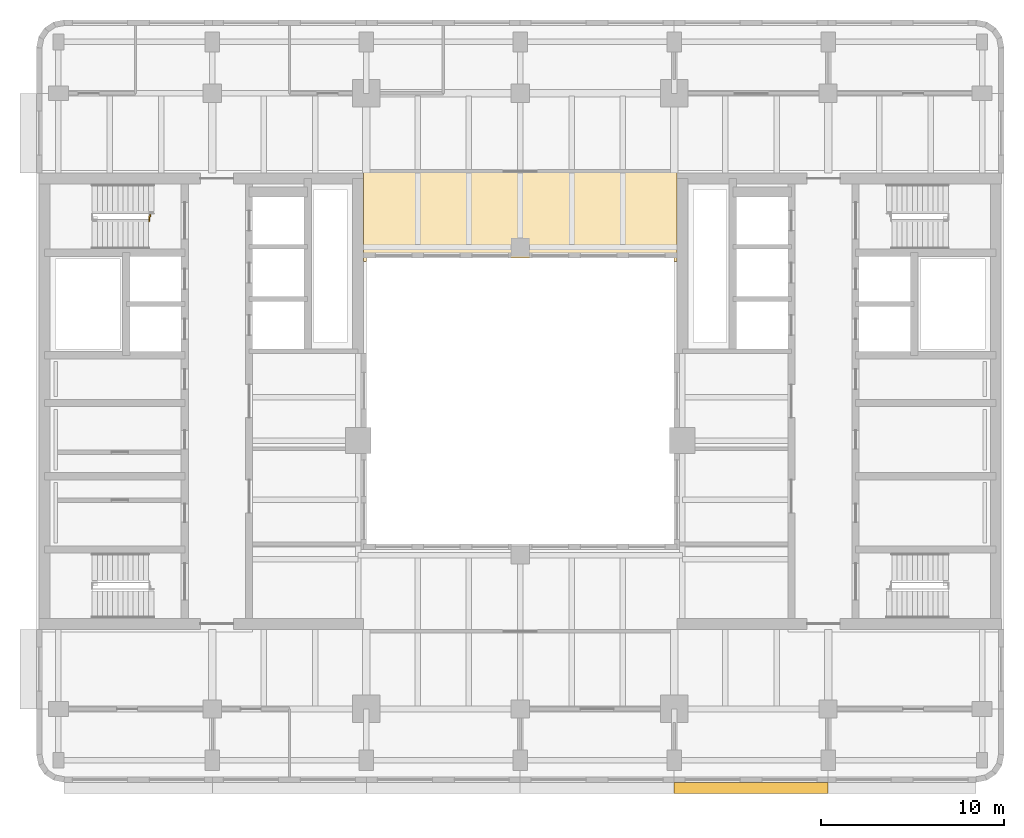
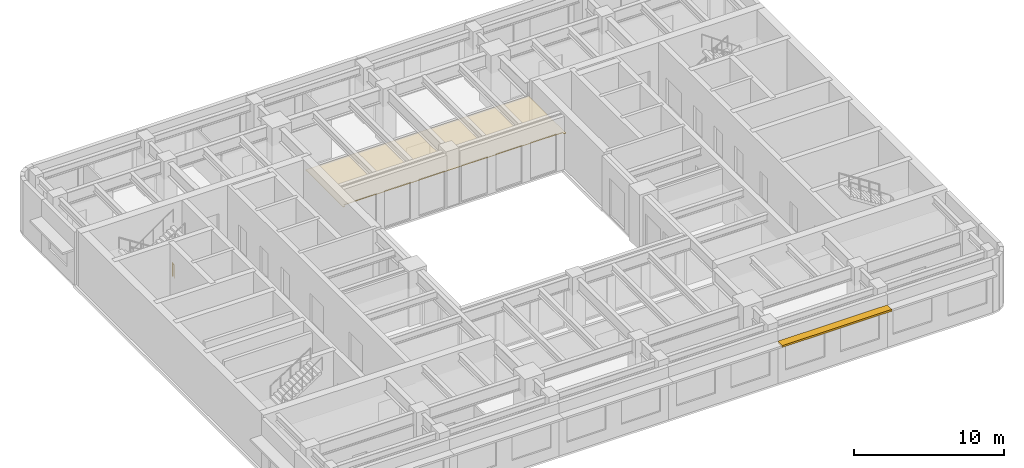
# One storey, part 11 of 13: 1 covering, 1 railing, 1 shading device.
"""IFC4 building model written with IfcOpenShell, lengths in metres."""

from ifc_helpers import new_model, si_unit, direction, frame, origin, origin_2d, place, context, subcontext, project, spatial, polyline, rectangle, circle, outline, extrude, material, layer, layer_set, type_object, element, save


model = new_model("IFC4")

# Units and contexts
model_context = context("Model", 3, precision=1e-05, world=origin(), true_north=direction((0.0, 1.0)))
body_context = subcontext(model_context, "Body", "Model", "MODEL_VIEW")
ifc_project = project(units=[si_unit("LENGTHUNIT", "METRE"), si_unit("AREAUNIT", "SQUARE_METRE"), si_unit("VOLUMEUNIT", "CUBIC_METRE"), si_unit("PLANEANGLEUNIT", "RADIAN"), si_unit("MASSUNIT", "GRAM", prefix="KILO")], contexts=[model_context])

# Site, building, storey
site_placement = place(None, origin())
site = spatial("IfcSite", under=ifc_project, at=site_placement, CompositionType="ELEMENT")
building_placement = place(site_placement, origin())
building = spatial("IfcBuilding", under=site, at=building_placement, Name="Claustro Exchange Tower", CompositionType="ELEMENT")
storey_placement = place(building_placement, frame((0.0, 0.0, 277.199951171875)))
storey = spatial("IfcBuildingStorey", under=building, at=storey_placement, Name="L63", CompositionType="ELEMENT", Elevation=277.199951171875)

# Covering
ifc_material_1 = material(Name="Oak slats on acoustic backing", Category="wood")
ifc_layer_1 = layer(ifc_material_1, 0.050048828125)
ifc_layer_set_1 = layer_set([ifc_layer_1], Name="Oak slats on acoustic backing")
covering_type = type_object("IfcCoveringType", Name="CL3 timber slat ceiling", PredefinedType="CEILING", material=ifc_layer_set_1)
covering_placement = place(storey_placement, frame((0.0, 0.0, 3.0)))
element("IfcCovering", 1, at=covering_placement, inside=storey, type_object=covering_type, Name="Ceiling CL3 L63-11", PredefinedType="CEILING", context=body_context, shape_type="SweptSolid", body=[
    extrude(outline(polyline([(16.64990234375, 37.64990234375), (16.64990234375, 32.830078125), (16.800048828125, 32.830078125), (16.800048828125, 33.0), (33.60009765625, 33.0), (33.60009765625, 32.830078125), (33.75, 32.830078125), (33.75, 37.64990234375), (33.77001953125, 37.64990234375), (33.77001953125, 37.800048828125), (16.6298828125, 37.800048828125), (16.6298828125, 37.64990234375), (16.64990234375, 37.64990234375)])), origin(), (0.0, 0.0, 1.0), 0.050048828125),
])

# Railing
ifc_material_2 = material(Name="Steel balustrade, painted", Category="steel")
railing_type = type_object("IfcRailingType", Name="GR2 1100 steel stair guard", PredefinedType="GUARDRAIL", material=ifc_material_2)
railing_placement = place(storey_placement, frame((5.0, 35.3798828125, 0.0)))
element("IfcRailing", 2, at=railing_placement, inside=storey, type_object=railing_type, Name="Stair guard GR2 STWB L63", PredefinedType="GUARDRAIL", context=body_context, shape_type="SweptSolid", body=[
    extrude(circle(Radius=0.02392578125, at=origin_2d()), frame((0.0, 0.0, 1.076171875), z_axis=(0.0, -1.0, 0.0), x_axis=(1.0, 0.0, 0.0)), (0.0, 0.0, 1.0), 0.10498046875),
    extrude(circle(Radius=0.02392578125, at=origin_2d()), frame((0.0, -0.10498046875, 1.076171875), z_axis=(-1.0, 0.0, 0.0), x_axis=(0.0, -1.0, 0.0)), (0.0, 0.0, 1.0), 0.054931640625),
    extrude(circle(Radius=0.02392578125, at=origin_2d()), frame((-0.054931640625, -0.10498046875, 1.076171875), z_axis=(0.0, -1.0, 0.0), x_axis=(1.0, 0.0, 0.0)), (0.0, 0.0, 1.0), 0.2548828125),
    extrude(circle(Radius=0.02099609375, at=origin_2d()), origin(), (0.0, 0.0, 1.0), 1.052001953125),
    extrude(circle(Radius=0.02099609375, at=origin_2d()), frame((0.0, -0.10498046875, 0.0)), (0.0, 0.0, 1.0), 1.052001953125),
    extrude(circle(Radius=0.02099609375, at=origin_2d()), frame((-0.054931640625, -0.10498046875, 0.0)), (0.0, 0.0, 1.0), 1.052001953125),
    extrude(circle(Radius=0.02099609375, at=origin_2d()), frame((-0.054931640625, -0.35986328125, 0.0)), (0.0, 0.0, 1.0), 1.052001953125),
])

# Shading device
ifc_material_3 = material(Name="Concrete HA-40 (C40/50), precast, white cement, acid-etched", Category="concrete")
ifc_layer_2 = layer(ifc_material_3, 0.14990234375)
ifc_layer_set_2 = layer_set([ifc_layer_2], Name="Concrete HA-40 (C40/50), precast, white cement, acid-etched")
shading_device_type = type_object("IfcShadingDeviceType", Name="SS1 600 precast concrete SUNSHADE", PredefinedType="SHUTTER", material=ifc_layer_set_2)
shading_device_placement = place(storey_placement, frame((37.800048828125, 4.10009765625, 3.300048828125), z_axis=(0.0, 0.0, 1.0), x_axis=(-1.0, 0.0, 0.0)))
element("IfcShadingDevice", 3, at=shading_device_placement, inside=storey, type_object=shading_device_type, Name="Precast SUNSHADE SS1 L63", PredefinedType="SHUTTER", context=body_context, shape_type="SweptSolid", body=[
    extrude(rectangle(XDim=8.39990234375, YDim=0.60009765625, at=origin_2d()), origin(), (0.0, 0.0, 1.0), 0.14990234375),
])

save(model, "model.ifc")
